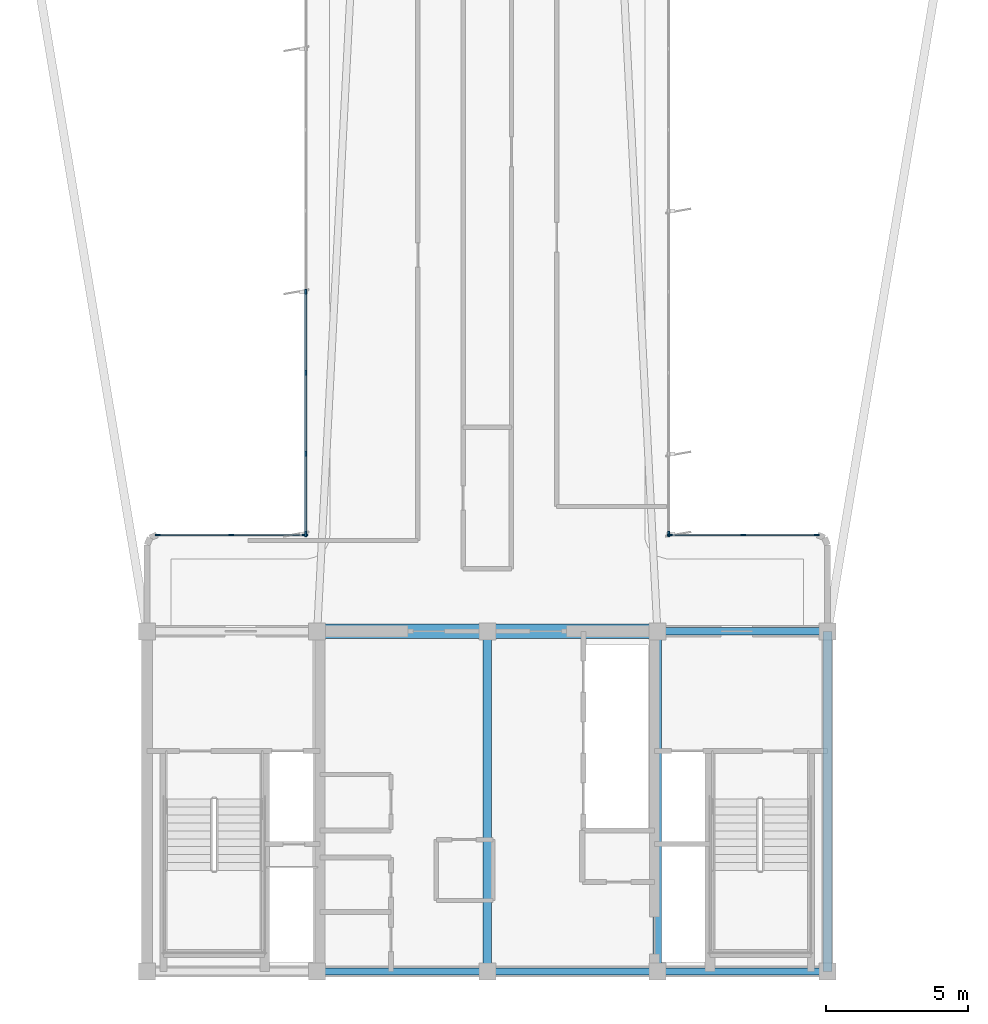
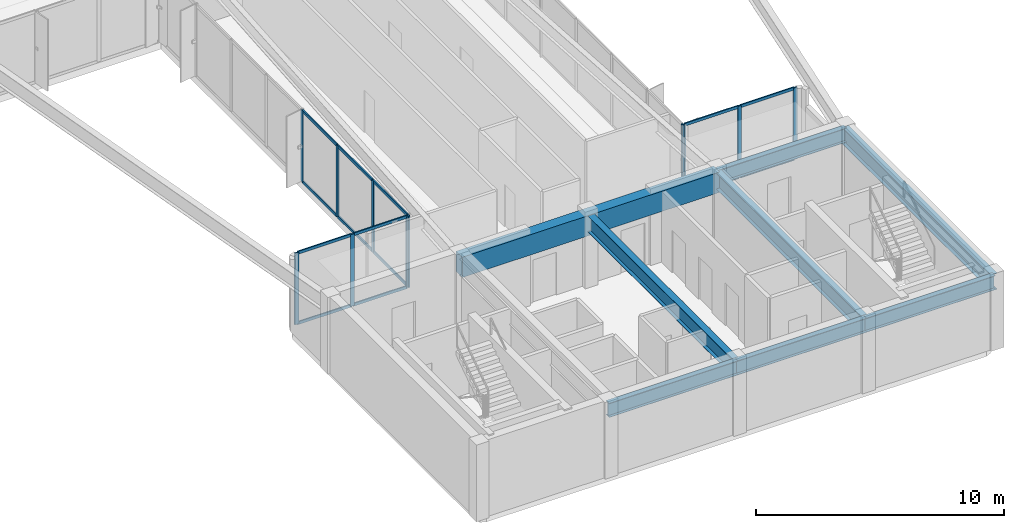
# One storey, part 2 of 16: 25 members, 8 beams, 4 elements without a shape of their own.
"""IFC4 building model written with IfcOpenShell, lengths in metres."""

from ifc_helpers import new_model, si_unit, direction, frame, origin, origin_2d, place, context, subcontext, project, spatial, rectangle, i_section, extrude, source, transform, mapped, material, layer, layer_set, material_profile, profile_set, type_object, element, aggregate, save


model = new_model("IFC4")

# Units and contexts
model_context = context("Model", 3, precision=1e-05, world=origin(), true_north=direction((0.0, 1.0)))
body_context = subcontext(model_context, "Body", "Model", "MODEL_VIEW")
ifc_project = project(units=[si_unit("LENGTHUNIT", "METRE"), si_unit("AREAUNIT", "SQUARE_METRE"), si_unit("VOLUMEUNIT", "CUBIC_METRE"), si_unit("PLANEANGLEUNIT", "RADIAN"), si_unit("MASSUNIT", "GRAM", prefix="KILO")], contexts=[model_context])

# Site, building, storey
site_placement = place(None, origin())
site = spatial("IfcSite", under=ifc_project, at=site_placement, CompositionType="ELEMENT")
building_placement = place(site_placement, origin())
building = spatial("IfcBuilding", under=site, at=building_placement, Name="Brelvock Crest Care Tower", CompositionType="ELEMENT")
storey_placement = place(building_placement, frame((0.0, 0.0, 223.02001953125)))
storey = spatial("IfcBuildingStorey", under=building, at=storey_placement, Name="L56", CompositionType="ELEMENT", Elevation=223.02001953125)

# Beams
ifc_material_1 = material(Name="Steel Grade 350", Category="steel")
ifc_material_profile_1 = material_profile(ifc_material_1, i_section(OverallWidth=0.25, OverallDepth=0.699951171875, WebThickness=0.011962890625, FlangeThickness=0.02001953125, at=origin_2d()), Name="700WB150")
ifc_profile_set_1 = profile_set([ifc_material_profile_1], Name="Steel Grade 350")
beam_type_1 = type_object("IfcBeamType", Name="BM-G4", PredefinedType="BEAM", material=ifc_profile_set_1)
shared_shape_1 = source(origin(), body_context, "Body", "SweptSolid", [
    extrude(i_section(OverallWidth=0.25, OverallDepth=0.699951171875, WebThickness=0.011962890625, FlangeThickness=0.02001953125, at=origin_2d()), origin(), (0.0, 0.0, 1.0), 6.0),
])
for number, where, z_axis, x_axis, name in (
    (1, (30.0, 6.0, 3.179931640625), (1.0, 0.0, 0.0), (0.0, 1.0, 0.0), "BM-CORES-L56-2"),
    (2, (36.0, 6.0, 3.179931640625), (1.0, 0.0, 0.0), (0.0, 1.0, 0.0), "BM-CORES-L56-3"),
    (3, (42.0, 6.0, 3.179931640625), (1.0, 0.0, 0.0), (0.0, 1.0, 0.0), "BM-CORES-L56-4"),
    (4, (42.0, 18.0, 3.179931640625), (1.0, 0.0, 0.0), (0.0, 1.0, 0.0), "BM-COREN-L56-4"),
):
    element("IfcBeam", number, at=place(storey_placement, frame(where, z_axis=z_axis, x_axis=x_axis)), inside=storey, type_object=beam_type_1, Name=name, PredefinedType="BEAM", context=body_context, shape_type="MappedRepresentation", body=[
        mapped(shared_shape_1, transform((0.0, 0.0, 0.0), x_axis=(1.0, 0.0, 0.0), y_axis=(0.0, 1.0, 0.0), z_axis=(0.0, 0.0, 1.0), scale=1.0)),
    ])
ifc_material_profile_2 = material_profile(ifc_material_1, i_section(OverallWidth=0.300048828125, OverallDepth=0.800048828125, WebThickness=0.013916015625, FlangeThickness=0.02197265625, at=origin_2d()), Name="800WB192")
ifc_profile_set_2 = profile_set([ifc_material_profile_2], Name="Steel Grade 350")
beam_type_2 = type_object("IfcBeamType", Name="BM-G5", PredefinedType="BEAM", material=ifc_profile_set_2)
shared_shape_2 = source(origin(), body_context, "Body", "SweptSolid", [
    extrude(i_section(OverallWidth=0.300048828125, OverallDepth=0.800048828125, WebThickness=0.013916015625, FlangeThickness=0.02197265625, at=origin_2d()), origin(), (0.0, 0.0, 1.0), 12.0),
])
for number, where, z_axis, x_axis, name in (
    (5, (36.0, 6.0, 3.1298828125), (0.0, 1.0, 0.0), (-1.0, 0.0, 0.0), "BM-COREX-L56-3"),
    (6, (42.0, 6.0, 3.1298828125), (0.0, 1.0, 0.0), (-1.0, 0.0, 0.0), "BM-COREX-L56-4"),
    (7, (48.0, 6.0, 3.1298828125), (0.0, 1.0, 0.0), (-1.0, 0.0, 0.0), "BM-COREX-L56-5"),
):
    element("IfcBeam", number, at=place(storey_placement, frame(where, z_axis=z_axis, x_axis=x_axis)), inside=storey, type_object=beam_type_2, Name=name, PredefinedType="BEAM", context=body_context, shape_type="MappedRepresentation", body=[
        mapped(shared_shape_2, transform((0.0, 0.0, 0.0), x_axis=(1.0, 0.0, 0.0), y_axis=(0.0, 1.0, 0.0), z_axis=(0.0, 0.0, 1.0), scale=1.0)),
    ])
ifc_material_2 = material(Name="Concrete S65 (65 MPa)", Category="concrete")
ifc_material_profile_3 = material_profile(ifc_material_2, rectangle(XDim=0.5, YDim=1.0, at=origin_2d()), Name="RC500x1000")
ifc_profile_set_3 = profile_set([ifc_material_profile_3], Name="Concrete S65 (65 MPa)")
beam_type_3 = type_object("IfcBeamType", Name="BM-LN2", PredefinedType="LINTEL", material=ifc_profile_set_3)
shared_shape_3 = source(origin(), body_context, "Body", "SweptSolid", [
    extrude(rectangle(XDim=0.5, YDim=1.0, at=origin_2d()), origin(), (0.0, 0.0, 1.0), 12.0),
])
beam_placement = place(storey_placement, frame((30.0, 18.0, 3.030029296875), z_axis=(1.0, 0.0, 0.0), x_axis=(0.0, 1.0, 0.0)))
element("IfcBeam", 8, at=beam_placement, inside=storey, type_object=beam_type_3, Name="L56 Core Coupling Lintel Beam", PredefinedType="LINTEL", context=body_context, shape_type="MappedRepresentation", body=[
    mapped(shared_shape_3, transform((0.0, 0.0, 0.0), x_axis=(1.0, 0.0, 0.0), y_axis=(0.0, 1.0, 0.0), z_axis=(0.0, 0.0, 1.0), scale=1.0)),
])

# Curtain wall, members
ifc_material_3 = material(Name="Dark Glass Double Glazed Low-E", Category="glass")
ifc_layer = layer(ifc_material_3, 0.239990234375, Name="CWS-5")
ifc_layer_set = layer_set([ifc_layer], Name="Dark Glass Double Glazed Low-E")
curtain_wall_type = type_object("IfcCurtainWallType", Name="CWS-5", PredefinedType="NOTDEFINED", material=ifc_layer_set)
curtain_wall_1_placement = place(storey_placement, origin())
curtain_wall_1 = element("IfcCurtainWall", 9, at=curtain_wall_1_placement, inside=storey, type_object=curtain_wall_type, Name="L56 Curtain Wall E10", PredefinedType="NOTDEFINED")
ifc_material_4 = material(Name="Aluminium 6063-T6", Category="aluminium")
ifc_material_profile_4 = material_profile(ifc_material_4, rectangle(XDim=0.06005859375, YDim=0.179931640625, at=origin_2d()), Name="ALU60x180")
ifc_profile_set_4 = profile_set([ifc_material_profile_4], Name="Aluminium 6063-T6")
member_type_1 = type_object("IfcMemberType", Name="CWM-2", PredefinedType="MULLION", material=ifc_profile_set_4)
shared_shape_4 = source(origin(), body_context, "Body", "SweptSolid", [
    extrude(rectangle(XDim=0.06005859375, YDim=0.179931640625, at=origin_2d()), origin(), (0.0, 0.0, 1.0), 3.530029296875),
])
member_1_placement = place(storey_placement, frame((24.3798828125, 21.39990234375, 0.0), z_axis=(0.0, 0.0, 1.0), x_axis=(0.0, 1.0, 0.0)))
member_1 = element("IfcMember", 10, at=member_1_placement, type_object=member_type_1, Name="CW-5 mullion 1", PredefinedType="MULLION", context=body_context, shape_type="MappedRepresentation", body=[
    mapped(shared_shape_4, transform((0.0, 0.0, 0.0), x_axis=(1.0, 0.0, 0.0), y_axis=(0.0, 1.0, 0.0), z_axis=(0.0, 0.0, 1.0), scale=1.0)),
])
member_2_placement = place(storey_placement, frame((26.97509765625, 21.39990234375, 0.0), z_axis=(0.0, 0.0, 1.0), x_axis=(0.0, 1.0, 0.0)))
member_2 = element("IfcMember", 11, at=member_2_placement, type_object=member_type_1, Name="CW-5 mullion 2", PredefinedType="MULLION", context=body_context, shape_type="MappedRepresentation", body=[
    mapped(shared_shape_4, transform((0.0, 0.0, 0.0), x_axis=(1.0, 0.0, 0.0), y_axis=(0.0, 1.0, 0.0), z_axis=(0.0, 0.0, 1.0), scale=1.0)),
])
member_3_placement = place(storey_placement, frame((29.570068359375, 21.39990234375, 0.0), z_axis=(0.0, 0.0, 1.0), x_axis=(0.0, 1.0, 0.0)))
member_3 = element("IfcMember", 12, at=member_3_placement, type_object=member_type_1, Name="CW-5 mullion 3", PredefinedType="MULLION", context=body_context, shape_type="MappedRepresentation", body=[
    mapped(shared_shape_4, transform((0.0, 0.0, 0.0), x_axis=(1.0, 0.0, 0.0), y_axis=(0.0, 1.0, 0.0), z_axis=(0.0, 0.0, 1.0), scale=1.0)),
])

curtain_wall_2_placement = place(storey_placement, origin())
curtain_wall_2 = element("IfcCurtainWall", 13, at=curtain_wall_2_placement, inside=storey, type_object=curtain_wall_type, Name="L56 Curtain Wall E11", PredefinedType="NOTDEFINED")
member_4_placement = place(storey_placement, frame((29.60009765625, 21.429931640625, 0.0), z_axis=(0.0, 0.0, 1.0), x_axis=(-1.0, 0.0, 0.0)))
member_4 = element("IfcMember", 14, at=member_4_placement, type_object=member_type_1, Name="CW-5 mullion 1", PredefinedType="MULLION", context=body_context, shape_type="MappedRepresentation", body=[
    mapped(shared_shape_4, transform((0.0, 0.0, 0.0), x_axis=(1.0, 0.0, 0.0), y_axis=(0.0, 1.0, 0.0), z_axis=(0.0, 0.0, 1.0), scale=1.0)),
])
member_5_placement = place(storey_placement, frame((29.60009765625, 24.257080078125, 0.0), z_axis=(0.0, 0.0, 1.0), x_axis=(-1.0, 0.0, 0.0)))
member_5 = element("IfcMember", 15, at=member_5_placement, type_object=member_type_1, Name="CW-5 mullion 2", PredefinedType="MULLION", context=body_context, shape_type="MappedRepresentation", body=[
    mapped(shared_shape_4, transform((0.0, 0.0, 0.0), x_axis=(1.0, 0.0, 0.0), y_axis=(0.0, 1.0, 0.0), z_axis=(0.0, 0.0, 1.0), scale=1.0)),
])
member_6_placement = place(storey_placement, frame((29.60009765625, 27.1142578125, 0.0), z_axis=(0.0, 0.0, 1.0), x_axis=(-1.0, 0.0, 0.0)))
member_6 = element("IfcMember", 16, at=member_6_placement, type_object=member_type_1, Name="CW-5 mullion 3", PredefinedType="MULLION", context=body_context, shape_type="MappedRepresentation", body=[
    mapped(shared_shape_4, transform((0.0, 0.0, 0.0), x_axis=(1.0, 0.0, 0.0), y_axis=(0.0, 1.0, 0.0), z_axis=(0.0, 0.0, 1.0), scale=1.0)),
])
member_7_placement = place(storey_placement, frame((29.60009765625, 29.971435546875, 0.0), z_axis=(0.0, 0.0, 1.0), x_axis=(-1.0, 0.0, 0.0)))
member_7 = element("IfcMember", 17, at=member_7_placement, type_object=member_type_1, Name="CW-5 mullion 4", PredefinedType="MULLION", context=body_context, shape_type="MappedRepresentation", body=[
    mapped(shared_shape_4, transform((0.0, 0.0, 0.0), x_axis=(1.0, 0.0, 0.0), y_axis=(0.0, 1.0, 0.0), z_axis=(0.0, 0.0, 1.0), scale=1.0)),
])

# Curtain wall, member
curtain_wall_3_placement = place(storey_placement, origin())
curtain_wall_3 = element("IfcCurtainWall", 18, at=curtain_wall_3_placement, inside=storey, type_object=curtain_wall_type, Name="L56 Curtain Wall E45", PredefinedType="NOTDEFINED")
member_8_placement = place(storey_placement, frame((42.39990234375, 21.429931640625, 0.0), z_axis=(0.0, 0.0, 1.0), x_axis=(1.0, 0.0, 0.0)))
member_8 = element("IfcMember", 19, at=member_8_placement, type_object=member_type_1, Name="CW-5 mullion 8", PredefinedType="MULLION", context=body_context, shape_type="MappedRepresentation", body=[
    mapped(shared_shape_4, transform((0.0, 0.0, 0.0), x_axis=(1.0, 0.0, 0.0), y_axis=(0.0, 1.0, 0.0), z_axis=(0.0, 0.0, 1.0), scale=1.0)),
])
aggregate(curtain_wall_3, [member_8])

# Curtain wall, members
curtain_wall_4_placement = place(storey_placement, origin())
curtain_wall_4 = element("IfcCurtainWall", 20, at=curtain_wall_4_placement, inside=storey, type_object=curtain_wall_type, Name="L56 Curtain Wall E46", PredefinedType="NOTDEFINED")
member_9_placement = place(storey_placement, frame((42.429931640625, 21.39990234375, 0.0), z_axis=(0.0, 0.0, 1.0), x_axis=(0.0, 1.0, 0.0)))
member_9 = element("IfcMember", 21, at=member_9_placement, type_object=member_type_1, Name="CW-5 mullion 1", PredefinedType="MULLION", context=body_context, shape_type="MappedRepresentation", body=[
    mapped(shared_shape_4, transform((0.0, 0.0, 0.0), x_axis=(1.0, 0.0, 0.0), y_axis=(0.0, 1.0, 0.0), z_axis=(0.0, 0.0, 1.0), scale=1.0)),
])
member_10_placement = place(storey_placement, frame((45.02490234375, 21.39990234375, 0.0), z_axis=(0.0, 0.0, 1.0), x_axis=(0.0, 1.0, 0.0)))
member_10 = element("IfcMember", 22, at=member_10_placement, type_object=member_type_1, Name="CW-5 mullion 2", PredefinedType="MULLION", context=body_context, shape_type="MappedRepresentation", body=[
    mapped(shared_shape_4, transform((0.0, 0.0, 0.0), x_axis=(1.0, 0.0, 0.0), y_axis=(0.0, 1.0, 0.0), z_axis=(0.0, 0.0, 1.0), scale=1.0)),
])
member_11_placement = place(storey_placement, frame((47.6201171875, 21.39990234375, 0.0), z_axis=(0.0, 0.0, 1.0), x_axis=(0.0, 1.0, 0.0)))
member_11 = element("IfcMember", 23, at=member_11_placement, type_object=member_type_1, Name="CW-5 mullion 3", PredefinedType="MULLION", context=body_context, shape_type="MappedRepresentation", body=[
    mapped(shared_shape_4, transform((0.0, 0.0, 0.0), x_axis=(1.0, 0.0, 0.0), y_axis=(0.0, 1.0, 0.0), z_axis=(0.0, 0.0, 1.0), scale=1.0)),
])

# Member
ifc_material_profile_5 = material_profile(ifc_material_4, rectangle(XDim=0.06005859375, YDim=0.139892578125, at=origin_2d()), Name="ALU60x140")
ifc_profile_set_5 = profile_set([ifc_material_profile_5], Name="Aluminium 6063-T6")
member_type_2 = type_object("IfcMemberType", Name="CWT-2", PredefinedType="USERDEFINED", material=ifc_profile_set_5)
shared_shape_5 = source(origin(), body_context, "Body", "SweptSolid", [
    extrude(rectangle(XDim=0.06005859375, YDim=0.139892578125, at=origin_2d()), origin(), (0.0, 0.0, 1.0), 2.53515625),
])
member_12_placement = place(storey_placement, frame((24.409912109375, 21.39990234375, 0.030029296875), z_axis=(1.0, 0.0, 0.0), x_axis=(0.0, 1.0, 0.0)))
member_12 = element("IfcMember", 24, at=member_12_placement, type_object=member_type_2, Name="CW-5 transom 1.1", ObjectType="TRANSOM", PredefinedType="USERDEFINED", context=body_context, shape_type="MappedRepresentation", body=[
    mapped(shared_shape_5, transform((0.0, 0.0, 0.0), x_axis=(1.0, 0.0, 0.0), y_axis=(0.0, 1.0, 0.0), z_axis=(0.0, 0.0, 1.0), scale=1.0)),
])

member_13_placement = place(storey_placement, frame((24.409912109375, 21.39990234375, 3.5), z_axis=(1.0, 0.0, 0.0), x_axis=(0.0, 1.0, 0.0)))
member_13 = element("IfcMember", 25, at=member_13_placement, type_object=member_type_2, Name="CW-5 transom 1.2", ObjectType="TRANSOM", PredefinedType="USERDEFINED", context=body_context, shape_type="MappedRepresentation", body=[
    mapped(shared_shape_5, transform((0.0, 0.0, 0.0), x_axis=(1.0, 0.0, 0.0), y_axis=(0.0, 1.0, 0.0), z_axis=(0.0, 0.0, 1.0), scale=1.0)),
])

member_14_placement = place(storey_placement, frame((27.0048828125, 21.39990234375, 0.030029296875), z_axis=(1.0, 0.0, 0.0), x_axis=(0.0, 1.0, 0.0)))
member_14 = element("IfcMember", 26, at=member_14_placement, type_object=member_type_2, Name="CW-5 transom 2.1", ObjectType="TRANSOM", PredefinedType="USERDEFINED", context=body_context, shape_type="MappedRepresentation", body=[
    mapped(shared_shape_5, transform((0.0, 0.0, 0.0), x_axis=(1.0, 0.0, 0.0), y_axis=(0.0, 1.0, 0.0), z_axis=(0.0, 0.0, 1.0), scale=1.0)),
])

member_15_placement = place(storey_placement, frame((27.0048828125, 21.39990234375, 3.5), z_axis=(1.0, 0.0, 0.0), x_axis=(0.0, 1.0, 0.0)))
member_15 = element("IfcMember", 27, at=member_15_placement, type_object=member_type_2, Name="CW-5 transom 2.2", ObjectType="TRANSOM", PredefinedType="USERDEFINED", context=body_context, shape_type="MappedRepresentation", body=[
    mapped(shared_shape_5, transform((0.0, 0.0, 0.0), x_axis=(1.0, 0.0, 0.0), y_axis=(0.0, 1.0, 0.0), z_axis=(0.0, 0.0, 1.0), scale=1.0)),
])

aggregate(curtain_wall_1, [member_1, member_2, member_3, member_12, member_13, member_14, member_15])

member_16_placement = place(storey_placement, frame((42.4599609375, 21.39990234375, 0.030029296875), z_axis=(1.0, 0.0, 0.0), x_axis=(0.0, 1.0, 0.0)))
member_16 = element("IfcMember", 28, at=member_16_placement, type_object=member_type_2, Name="CW-5 transom 1.1", ObjectType="TRANSOM", PredefinedType="USERDEFINED", context=body_context, shape_type="MappedRepresentation", body=[
    mapped(shared_shape_5, transform((0.0, 0.0, 0.0), x_axis=(1.0, 0.0, 0.0), y_axis=(0.0, 1.0, 0.0), z_axis=(0.0, 0.0, 1.0), scale=1.0)),
])

member_17_placement = place(storey_placement, frame((42.4599609375, 21.39990234375, 3.5), z_axis=(1.0, 0.0, 0.0), x_axis=(0.0, 1.0, 0.0)))
member_17 = element("IfcMember", 29, at=member_17_placement, type_object=member_type_2, Name="CW-5 transom 1.2", ObjectType="TRANSOM", PredefinedType="USERDEFINED", context=body_context, shape_type="MappedRepresentation", body=[
    mapped(shared_shape_5, transform((0.0, 0.0, 0.0), x_axis=(1.0, 0.0, 0.0), y_axis=(0.0, 1.0, 0.0), z_axis=(0.0, 0.0, 1.0), scale=1.0)),
])

member_18_placement = place(storey_placement, frame((45.054931640625, 21.39990234375, 0.030029296875), z_axis=(1.0, 0.0, 0.0), x_axis=(0.0, 1.0, 0.0)))
member_18 = element("IfcMember", 30, at=member_18_placement, type_object=member_type_2, Name="CW-5 transom 2.1", ObjectType="TRANSOM", PredefinedType="USERDEFINED", context=body_context, shape_type="MappedRepresentation", body=[
    mapped(shared_shape_5, transform((0.0, 0.0, 0.0), x_axis=(1.0, 0.0, 0.0), y_axis=(0.0, 1.0, 0.0), z_axis=(0.0, 0.0, 1.0), scale=1.0)),
])

member_19_placement = place(storey_placement, frame((45.054931640625, 21.39990234375, 3.5), z_axis=(1.0, 0.0, 0.0), x_axis=(0.0, 1.0, 0.0)))
member_19 = element("IfcMember", 31, at=member_19_placement, type_object=member_type_2, Name="CW-5 transom 2.2", ObjectType="TRANSOM", PredefinedType="USERDEFINED", context=body_context, shape_type="MappedRepresentation", body=[
    mapped(shared_shape_5, transform((0.0, 0.0, 0.0), x_axis=(1.0, 0.0, 0.0), y_axis=(0.0, 1.0, 0.0), z_axis=(0.0, 0.0, 1.0), scale=1.0)),
])

aggregate(curtain_wall_4, [member_9, member_10, member_11, member_16, member_17, member_18, member_19])

shared_shape_6 = source(origin(), body_context, "Body", "SweptSolid", [
    extrude(rectangle(XDim=0.06005859375, YDim=0.139892578125, at=origin_2d()), origin(), (0.0, 0.0, 1.0), 2.76708984375),
])
member_20_placement = place(storey_placement, frame((29.60009765625, 21.4599609375, 0.030029296875), z_axis=(0.0, 1.0, 0.0), x_axis=(-1.0, 0.0, 0.0)))
member_20 = element("IfcMember", 32, at=member_20_placement, type_object=member_type_2, Name="CW-5 transom 1.1", ObjectType="TRANSOM", PredefinedType="USERDEFINED", context=body_context, shape_type="MappedRepresentation", body=[
    mapped(shared_shape_6, transform((0.0, 0.0, 0.0), x_axis=(1.0, 0.0, 0.0), y_axis=(0.0, 1.0, 0.0), z_axis=(0.0, 0.0, 1.0), scale=1.0)),
])

member_21_placement = place(storey_placement, frame((29.60009765625, 21.4599609375, 3.5), z_axis=(0.0, 1.0, 0.0), x_axis=(-1.0, 0.0, 0.0)))
member_21 = element("IfcMember", 33, at=member_21_placement, type_object=member_type_2, Name="CW-5 transom 1.2", ObjectType="TRANSOM", PredefinedType="USERDEFINED", context=body_context, shape_type="MappedRepresentation", body=[
    mapped(shared_shape_6, transform((0.0, 0.0, 0.0), x_axis=(1.0, 0.0, 0.0), y_axis=(0.0, 1.0, 0.0), z_axis=(0.0, 0.0, 1.0), scale=1.0)),
])

shared_shape_7 = source(origin(), body_context, "Body", "SweptSolid", [
    extrude(rectangle(XDim=0.06005859375, YDim=0.139892578125, at=origin_2d()), origin(), (0.0, 0.0, 1.0), 2.797119140625),
])
member_22_placement = place(storey_placement, frame((29.60009765625, 24.287109375, 0.030029296875), z_axis=(0.0, 1.0, 0.0), x_axis=(-1.0, 0.0, 0.0)))
member_22 = element("IfcMember", 34, at=member_22_placement, type_object=member_type_2, Name="CW-5 transom 2.1", ObjectType="TRANSOM", PredefinedType="USERDEFINED", context=body_context, shape_type="MappedRepresentation", body=[
    mapped(shared_shape_7, transform((0.0, 0.0, 0.0), x_axis=(1.0, 0.0, 0.0), y_axis=(0.0, 1.0, 0.0), z_axis=(0.0, 0.0, 1.0), scale=1.0)),
])

member_23_placement = place(storey_placement, frame((29.60009765625, 24.287109375, 3.5), z_axis=(0.0, 1.0, 0.0), x_axis=(-1.0, 0.0, 0.0)))
member_23 = element("IfcMember", 35, at=member_23_placement, type_object=member_type_2, Name="CW-5 transom 2.2", ObjectType="TRANSOM", PredefinedType="USERDEFINED", context=body_context, shape_type="MappedRepresentation", body=[
    mapped(shared_shape_7, transform((0.0, 0.0, 0.0), x_axis=(1.0, 0.0, 0.0), y_axis=(0.0, 1.0, 0.0), z_axis=(0.0, 0.0, 1.0), scale=1.0)),
])

member_24_placement = place(storey_placement, frame((29.60009765625, 27.144287109375, 0.030029296875), z_axis=(0.0, 1.0, 0.0), x_axis=(-1.0, 0.0, 0.0)))
member_24 = element("IfcMember", 36, at=member_24_placement, type_object=member_type_2, Name="CW-5 transom 3.1", ObjectType="TRANSOM", PredefinedType="USERDEFINED", context=body_context, shape_type="MappedRepresentation", body=[
    mapped(shared_shape_7, transform((0.0, 0.0, 0.0), x_axis=(1.0, 0.0, 0.0), y_axis=(0.0, 1.0, 0.0), z_axis=(0.0, 0.0, 1.0), scale=1.0)),
])

member_25_placement = place(storey_placement, frame((29.60009765625, 27.144287109375, 3.5), z_axis=(0.0, 1.0, 0.0), x_axis=(-1.0, 0.0, 0.0)))
member_25 = element("IfcMember", 37, at=member_25_placement, type_object=member_type_2, Name="CW-5 transom 3.2", ObjectType="TRANSOM", PredefinedType="USERDEFINED", context=body_context, shape_type="MappedRepresentation", body=[
    mapped(shared_shape_7, transform((0.0, 0.0, 0.0), x_axis=(1.0, 0.0, 0.0), y_axis=(0.0, 1.0, 0.0), z_axis=(0.0, 0.0, 1.0), scale=1.0)),
])

aggregate(curtain_wall_2, [member_4, member_5, member_6, member_7, member_20, member_21, member_22, member_23, member_24, member_25])

save(model, "model.ifc")
